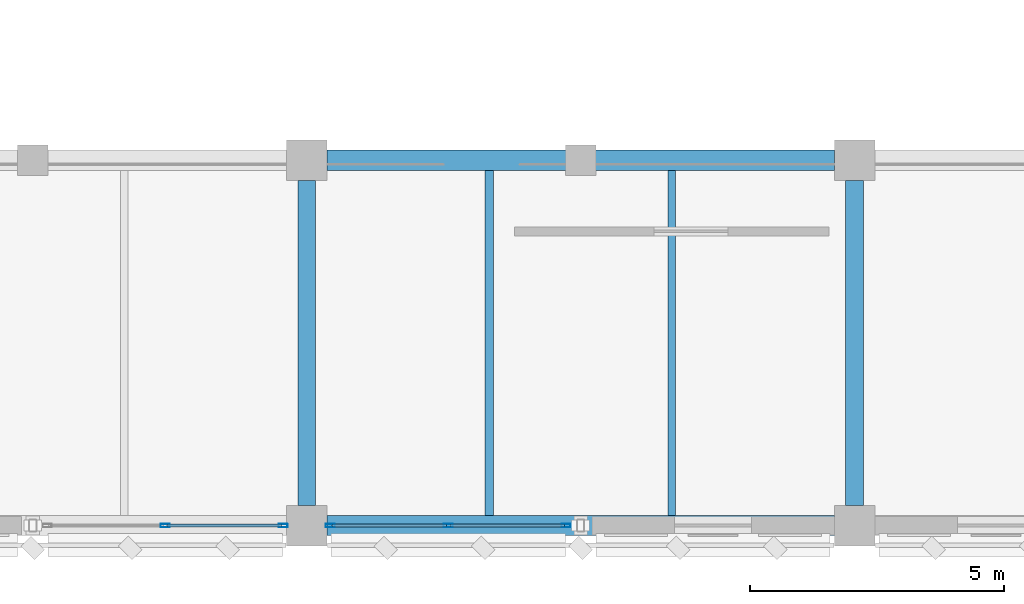
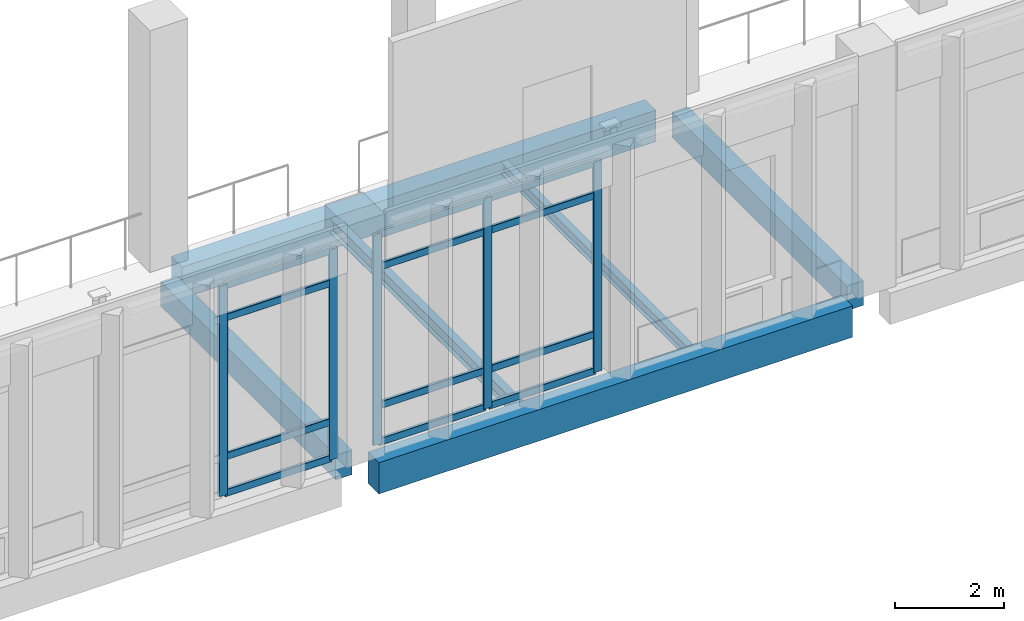
# One storey, part 14 of 180: 17 members, 6 beams, 2 elements without a shape of their own.
"""IFC4 building model written with IfcOpenShell, lengths in metres."""

from ifc_helpers import new_model, si_unit, direction, frame, origin, origin_2d, place, context, subcontext, project, spatial, rectangle, hollow_rectangle, i_section, extrude, material, material_profile, profile_set, type_object, element, aggregate, save


model = new_model("IFC4")

# Units and contexts
model_context = context("Model", 3, precision=1e-05, world=origin(), true_north=direction((0.0, 1.0)))
body_context = subcontext(model_context, "Body", "Model", "MODEL_VIEW")
ifc_project = project(units=[si_unit("LENGTHUNIT", "METRE"), si_unit("AREAUNIT", "SQUARE_METRE"), si_unit("VOLUMEUNIT", "CUBIC_METRE"), si_unit("PLANEANGLEUNIT", "RADIAN"), si_unit("MASSUNIT", "GRAM", prefix="KILO")], contexts=[model_context])

# Site, building, storey
site_placement = place(None, origin())
site = spatial("IfcSite", under=ifc_project, at=site_placement, CompositionType="ELEMENT")
building_placement = place(site_placement, origin())
building = spatial("IfcBuilding", under=site, at=building_placement, Name="Lusvemor Sports Hall", CompositionType="ELEMENT")
storey_placement = place(building_placement, frame((0.0, 0.0, 5.39990234375)))
storey = spatial("IfcBuildingStorey", under=building, at=storey_placement, Name="L01", CompositionType="ELEMENT", Elevation=5.39990234375)

# Beams
ifc_material_1 = material(Name="Concrete C40/50", Category="concrete")
ifc_material_profile_1 = material_profile(ifc_material_1, rectangle(XDim=0.35009765625, YDim=0.550048828125, at=origin_2d()), Name="RC350x550")
ifc_profile_set_1 = profile_set([ifc_material_profile_1], Name="Concrete C40/50")
beam_type_1 = type_object("IfcBeamType", Name="BEAM_RC_550", PredefinedType="BEAM", material=ifc_profile_set_1)
for number, where, z_axis, x_axis, name in (
    (1, (32.39990234375, 0.39599609375, -0.554931640625), (0.0, 1.0, 0.0), (-1.0, 0.0, 0.0), "Beam L01 4:A-B"),
    (2, (43.199951171875, 0.39599609375, -0.554931640625), (0.0, 1.0, 0.0), (-1.0, 0.0, 0.0), "Beam L01 5:A-B"),
):
    element("IfcBeam", number, at=place(storey_placement, frame(where, z_axis=z_axis, x_axis=x_axis)), inside=storey, type_object=beam_type_1, Name=name, PredefinedType="BEAM", context=body_context, shape_type="SweptSolid", body=[
        extrude(rectangle(XDim=0.35009765625, YDim=0.550048828125, at=origin_2d()), origin(), (0.0, 0.0, 1.0), 6.407958984375),
    ])

# Curtain wall, members
ifc_material_2 = material(Name="Thermally broken bronze-anodized aluminium", Category="aluminium")
curtain_wall_type = type_object("IfcCurtainWallType", Name="CW_COURT_C", PredefinedType="NOTDEFINED", material=ifc_material_2)
curtain_wall_1_placement = place(storey_placement, origin())
curtain_wall_1 = element("IfcCurtainWall", 3, at=curtain_wall_1_placement, inside=storey, type_object=curtain_wall_type, Name="Curtain Wall CW-V1S-L01-2-2", PredefinedType="NOTDEFINED")
ifc_material_3 = material(Name="Thermally broken bronze-anodized aluminium", Category="aluminium")
ifc_material_profile_2 = material_profile(ifc_material_3, hollow_rectangle(XDim=0.070068359375, YDim=0.179931640625, WallThickness=0.0048828125, InnerFilletRadius=0.0048828125, OuterFilletRadius=0.010009765625, at=origin_2d()), Name="CWMUL180x70x5")
ifc_profile_set_2 = profile_set([ifc_material_profile_2], Name="Thermally broken bronze-anodized aluminium")
member_type_1 = type_object("IfcMemberType", Name="CW_MUL_A", PredefinedType="MULLION", material=ifc_profile_set_2)
member_1_placement = place(storey_placement, frame((31.93505859375, 0.0, 0.0), z_axis=(0.0, 0.0, 1.0), x_axis=(0.0, -1.0, 0.0)))
member_1 = element("IfcMember", 4, at=member_1_placement, type_object=member_type_1, Name="CW03 mullion 1", PredefinedType="MULLION", context=body_context, shape_type="SweptSolid", body=[
    extrude(hollow_rectangle(XDim=0.070068359375, YDim=0.179931640625, WallThickness=0.0048828125, InnerFilletRadius=0.0048828125, OuterFilletRadius=0.010009765625, at=origin_2d()), origin(), (0.0, 0.0, 1.0), 4.7001953125),
])
member_2_placement = place(storey_placement, frame((29.610107421875, 0.0, 0.0), z_axis=(0.0, 0.0, 1.0), x_axis=(0.0, -1.0, 0.0)))
member_2 = element("IfcMember", 5, at=member_2_placement, type_object=member_type_1, Name="CW03 mullion 2", PredefinedType="MULLION", context=body_context, shape_type="SweptSolid", body=[
    extrude(hollow_rectangle(XDim=0.070068359375, YDim=0.179931640625, WallThickness=0.0048828125, InnerFilletRadius=0.0048828125, OuterFilletRadius=0.010009765625, at=origin_2d()), origin(), (0.0, 0.0, 1.0), 4.7001953125),
])

curtain_wall_2_placement = place(storey_placement, origin())
curtain_wall_2 = element("IfcCurtainWall", 6, at=curtain_wall_2_placement, inside=storey, type_object=curtain_wall_type, Name="Curtain Wall CW-V1S-L01-3-1", PredefinedType="NOTDEFINED")
member_3_placement = place(storey_placement, frame((37.514892578125, 0.0, 0.0), z_axis=(0.0, 0.0, 1.0), x_axis=(0.0, -1.0, 0.0)))
member_3 = element("IfcMember", 7, at=member_3_placement, type_object=member_type_1, Name="CW03 mullion 1", PredefinedType="MULLION", context=body_context, shape_type="SweptSolid", body=[
    extrude(hollow_rectangle(XDim=0.070068359375, YDim=0.179931640625, WallThickness=0.0048828125, InnerFilletRadius=0.0048828125, OuterFilletRadius=0.010009765625, at=origin_2d()), origin(), (0.0, 0.0, 1.0), 4.7001953125),
])
member_4_placement = place(storey_placement, frame((35.18994140625, 0.0, 0.0), z_axis=(0.0, 0.0, 1.0), x_axis=(0.0, -1.0, 0.0)))
member_4 = element("IfcMember", 8, at=member_4_placement, type_object=member_type_1, Name="CW03 mullion 2", PredefinedType="MULLION", context=body_context, shape_type="SweptSolid", body=[
    extrude(hollow_rectangle(XDim=0.070068359375, YDim=0.179931640625, WallThickness=0.0048828125, InnerFilletRadius=0.0048828125, OuterFilletRadius=0.010009765625, at=origin_2d()), origin(), (0.0, 0.0, 1.0), 4.7001953125),
])
member_5_placement = place(storey_placement, frame((32.864990234375, 0.0, 0.0), z_axis=(0.0, 0.0, 1.0), x_axis=(0.0, -1.0, 0.0)))
member_5 = element("IfcMember", 9, at=member_5_placement, type_object=member_type_1, Name="CW03 mullion 3", PredefinedType="MULLION", context=body_context, shape_type="SweptSolid", body=[
    extrude(hollow_rectangle(XDim=0.070068359375, YDim=0.179931640625, WallThickness=0.0048828125, InnerFilletRadius=0.0048828125, OuterFilletRadius=0.010009765625, at=origin_2d()), origin(), (0.0, 0.0, 1.0), 4.7001953125),
])

# Member
ifc_material_4 = material(Name="Thermally broken bronze-anodized aluminium", Category="aluminium")
ifc_material_profile_3 = material_profile(ifc_material_4, hollow_rectangle(XDim=0.06494140625, YDim=0.159912109375, WallThickness=0.00390625, InnerFilletRadius=0.00390625, OuterFilletRadius=0.008056640625, at=origin_2d()), Name="CWTRN160x65x4")
ifc_profile_set_3 = profile_set([ifc_material_profile_3], Name="Thermally broken bronze-anodized aluminium")
member_type_2 = type_object("IfcMemberType", Name="CW_TRN_A", PredefinedType="USERDEFINED", material=ifc_profile_set_3)
member_6_placement = place(storey_placement, frame((31.89990234375, 0.0, 0.03271484375), z_axis=(-1.0, 0.0, 0.0), x_axis=(0.0, -1.0, 0.0)))
member_6 = element("IfcMember", 10, at=member_6_placement, type_object=member_type_2, Name="CW03 transom 1.1", ObjectType="TRANSOM", PredefinedType="USERDEFINED", context=body_context, shape_type="SweptSolid", body=[
    extrude(hollow_rectangle(XDim=0.06494140625, YDim=0.159912109375, WallThickness=0.00390625, InnerFilletRadius=0.00390625, OuterFilletRadius=0.008056640625, at=origin_2d()), origin(), (0.0, 0.0, 1.0), 2.2548828125),
])

member_7_placement = place(storey_placement, frame((31.89990234375, 0.0, 0.85009765625), z_axis=(-1.0, 0.0, 0.0), x_axis=(0.0, -1.0, 0.0)))
member_7 = element("IfcMember", 11, at=member_7_placement, type_object=member_type_2, Name="CW03 transom 1.2", ObjectType="TRANSOM", PredefinedType="USERDEFINED", context=body_context, shape_type="SweptSolid", body=[
    extrude(hollow_rectangle(XDim=0.06494140625, YDim=0.159912109375, WallThickness=0.00390625, InnerFilletRadius=0.00390625, OuterFilletRadius=0.008056640625, at=origin_2d()), origin(), (0.0, 0.0, 1.0), 2.2548828125),
])

member_8_placement = place(storey_placement, frame((31.89990234375, 0.0, 3.9501953125), z_axis=(-1.0, 0.0, 0.0), x_axis=(0.0, -1.0, 0.0)))
member_8 = element("IfcMember", 12, at=member_8_placement, type_object=member_type_2, Name="CW03 transom 1.3", ObjectType="TRANSOM", PredefinedType="USERDEFINED", context=body_context, shape_type="SweptSolid", body=[
    extrude(hollow_rectangle(XDim=0.06494140625, YDim=0.159912109375, WallThickness=0.00390625, InnerFilletRadius=0.00390625, OuterFilletRadius=0.008056640625, at=origin_2d()), origin(), (0.0, 0.0, 1.0), 2.2548828125),
])

member_9_placement = place(storey_placement, frame((31.89990234375, 0.0, 4.66748046875), z_axis=(-1.0, 0.0, 0.0), x_axis=(0.0, -1.0, 0.0)))
member_9 = element("IfcMember", 13, at=member_9_placement, type_object=member_type_2, Name="CW03 transom 1.4", ObjectType="TRANSOM", PredefinedType="USERDEFINED", context=body_context, shape_type="SweptSolid", body=[
    extrude(hollow_rectangle(XDim=0.06494140625, YDim=0.159912109375, WallThickness=0.00390625, InnerFilletRadius=0.00390625, OuterFilletRadius=0.008056640625, at=origin_2d()), origin(), (0.0, 0.0, 1.0), 2.2548828125),
])

aggregate(curtain_wall_1, [member_1, member_2, member_6, member_7, member_8, member_9])

member_10_placement = place(storey_placement, frame((37.47998046875, 0.0, 0.03271484375), z_axis=(-1.0, 0.0, 0.0), x_axis=(0.0, -1.0, 0.0)))
member_10 = element("IfcMember", 14, at=member_10_placement, type_object=member_type_2, Name="CW03 transom 1.1", ObjectType="TRANSOM", PredefinedType="USERDEFINED", context=body_context, shape_type="SweptSolid", body=[
    extrude(hollow_rectangle(XDim=0.06494140625, YDim=0.159912109375, WallThickness=0.00390625, InnerFilletRadius=0.00390625, OuterFilletRadius=0.008056640625, at=origin_2d()), origin(), (0.0, 0.0, 1.0), 2.2548828125),
])

member_11_placement = place(storey_placement, frame((37.47998046875, 0.0, 0.85009765625), z_axis=(-1.0, 0.0, 0.0), x_axis=(0.0, -1.0, 0.0)))
member_11 = element("IfcMember", 15, at=member_11_placement, type_object=member_type_2, Name="CW03 transom 1.2", ObjectType="TRANSOM", PredefinedType="USERDEFINED", context=body_context, shape_type="SweptSolid", body=[
    extrude(hollow_rectangle(XDim=0.06494140625, YDim=0.159912109375, WallThickness=0.00390625, InnerFilletRadius=0.00390625, OuterFilletRadius=0.008056640625, at=origin_2d()), origin(), (0.0, 0.0, 1.0), 2.2548828125),
])

member_12_placement = place(storey_placement, frame((37.47998046875, 0.0, 3.9501953125), z_axis=(-1.0, 0.0, 0.0), x_axis=(0.0, -1.0, 0.0)))
member_12 = element("IfcMember", 16, at=member_12_placement, type_object=member_type_2, Name="CW03 transom 1.3", ObjectType="TRANSOM", PredefinedType="USERDEFINED", context=body_context, shape_type="SweptSolid", body=[
    extrude(hollow_rectangle(XDim=0.06494140625, YDim=0.159912109375, WallThickness=0.00390625, InnerFilletRadius=0.00390625, OuterFilletRadius=0.008056640625, at=origin_2d()), origin(), (0.0, 0.0, 1.0), 2.2548828125),
])

member_13_placement = place(storey_placement, frame((37.47998046875, 0.0, 4.66748046875), z_axis=(-1.0, 0.0, 0.0), x_axis=(0.0, -1.0, 0.0)))
member_13 = element("IfcMember", 17, at=member_13_placement, type_object=member_type_2, Name="CW03 transom 1.4", ObjectType="TRANSOM", PredefinedType="USERDEFINED", context=body_context, shape_type="SweptSolid", body=[
    extrude(hollow_rectangle(XDim=0.06494140625, YDim=0.159912109375, WallThickness=0.00390625, InnerFilletRadius=0.00390625, OuterFilletRadius=0.008056640625, at=origin_2d()), origin(), (0.0, 0.0, 1.0), 2.2548828125),
])

member_14_placement = place(storey_placement, frame((35.155029296875, 0.0, 0.03271484375), z_axis=(-1.0, 0.0, 0.0), x_axis=(0.0, -1.0, 0.0)))
member_14 = element("IfcMember", 18, at=member_14_placement, type_object=member_type_2, Name="CW03 transom 2.1", ObjectType="TRANSOM", PredefinedType="USERDEFINED", context=body_context, shape_type="SweptSolid", body=[
    extrude(hollow_rectangle(XDim=0.06494140625, YDim=0.159912109375, WallThickness=0.00390625, InnerFilletRadius=0.00390625, OuterFilletRadius=0.008056640625, at=origin_2d()), origin(), (0.0, 0.0, 1.0), 2.255126953125),
])

member_15_placement = place(storey_placement, frame((35.155029296875, 0.0, 0.85009765625), z_axis=(-1.0, 0.0, 0.0), x_axis=(0.0, -1.0, 0.0)))
member_15 = element("IfcMember", 19, at=member_15_placement, type_object=member_type_2, Name="CW03 transom 2.2", ObjectType="TRANSOM", PredefinedType="USERDEFINED", context=body_context, shape_type="SweptSolid", body=[
    extrude(hollow_rectangle(XDim=0.06494140625, YDim=0.159912109375, WallThickness=0.00390625, InnerFilletRadius=0.00390625, OuterFilletRadius=0.008056640625, at=origin_2d()), origin(), (0.0, 0.0, 1.0), 2.255126953125),
])

member_16_placement = place(storey_placement, frame((35.155029296875, 0.0, 3.9501953125), z_axis=(-1.0, 0.0, 0.0), x_axis=(0.0, -1.0, 0.0)))
member_16 = element("IfcMember", 20, at=member_16_placement, type_object=member_type_2, Name="CW03 transom 2.3", ObjectType="TRANSOM", PredefinedType="USERDEFINED", context=body_context, shape_type="SweptSolid", body=[
    extrude(hollow_rectangle(XDim=0.06494140625, YDim=0.159912109375, WallThickness=0.00390625, InnerFilletRadius=0.00390625, OuterFilletRadius=0.008056640625, at=origin_2d()), origin(), (0.0, 0.0, 1.0), 2.255126953125),
])

member_17_placement = place(storey_placement, frame((35.155029296875, 0.0, 4.66748046875), z_axis=(-1.0, 0.0, 0.0), x_axis=(0.0, -1.0, 0.0)))
member_17 = element("IfcMember", 21, at=member_17_placement, type_object=member_type_2, Name="CW03 transom 2.4", ObjectType="TRANSOM", PredefinedType="USERDEFINED", context=body_context, shape_type="SweptSolid", body=[
    extrude(hollow_rectangle(XDim=0.06494140625, YDim=0.159912109375, WallThickness=0.00390625, InnerFilletRadius=0.00390625, OuterFilletRadius=0.008056640625, at=origin_2d()), origin(), (0.0, 0.0, 1.0), 2.255126953125),
])

aggregate(curtain_wall_2, [member_3, member_4, member_5, member_10, member_11, member_12, member_13, member_14, member_15, member_16, member_17])

# Beams
ifc_material_5 = material(Name="Steel S355", Category="steel")
ifc_material_profile_4 = material_profile(ifc_material_5, i_section(OverallWidth=0.14794921875, OverallDepth=0.26611328125, WebThickness=0.007568359375, FlangeThickness=0.012939453125, FilletRadius=0.012939453125, at=origin_2d()), Name="W250x44.8")
ifc_profile_set_4 = profile_set([ifc_material_profile_4], Name="Steel S355")
beam_type_2 = type_object("IfcBeamType", Name="JOIST_ST_250M", PredefinedType="JOIST", material=ifc_profile_set_4)
beam_1_placement = place(storey_placement, frame((39.60009765625, 0.196044921875, -0.4169921875), z_axis=(0.0, 1.0, 0.0), x_axis=(-1.0, 0.0, 0.0)))
element("IfcBeam", 22, at=beam_1_placement, inside=storey, type_object=beam_type_2, Name="Secondary Joist L01 4-5/A-B #2", PredefinedType="JOIST", context=body_context, shape_type="SweptSolid", body=[
    extrude(i_section(OverallWidth=0.14794921875, OverallDepth=0.26611328125, WebThickness=0.007568359375, FlangeThickness=0.012939453125, FilletRadius=0.012939453125, at=origin_2d()), origin(), (0.0, 0.0, 1.0), 6.807861328125),
])
ifc_material_6 = material(Name="Steel S355", Category="steel")
ifc_material_profile_5 = material_profile(ifc_material_6, i_section(OverallWidth=0.1669921875, OverallDepth=0.31689453125, WebThickness=0.007568359375, FlangeThickness=0.01318359375, FilletRadius=0.014892578125, at=origin_2d()), Name="W310x52.0")
ifc_profile_set_5 = profile_set([ifc_material_profile_5], Name="Steel S355")
beam_type_3 = type_object("IfcBeamType", Name="JOIST_ST_310M", PredefinedType="JOIST", material=ifc_profile_set_5)
beam_2_placement = place(storey_placement, frame((36.0, 0.196044921875, -0.4423828125), z_axis=(0.0, 1.0, 0.0), x_axis=(-1.0, 0.0, 0.0)))
element("IfcBeam", 23, at=beam_2_placement, inside=storey, type_object=beam_type_3, Name="Secondary Joist L01 4-5/A-B #1", PredefinedType="JOIST", context=body_context, shape_type="SweptSolid", body=[
    extrude(i_section(OverallWidth=0.1669921875, OverallDepth=0.31689453125, WebThickness=0.007568359375, FlangeThickness=0.01318359375, FilletRadius=0.014892578125, at=origin_2d()), origin(), (0.0, 0.0, 1.0), 6.807861328125),
])
ifc_material_7 = material(Name="Concrete C40/50", Category="concrete")
ifc_material_profile_6 = material_profile(ifc_material_7, rectangle(XDim=0.39990234375, YDim=0.699951171875, at=origin_2d()), Name="RC400x700")
ifc_profile_set_6 = profile_set([ifc_material_profile_6], Name="Concrete C40/50")
beam_type_4 = type_object("IfcBeamType", Name="SPAND_EXT_700", PredefinedType="SPANDREL", material=ifc_profile_set_6)
for number, where, z_axis, x_axis, name in (
    (24, (32.7958984375, 0.0, -0.6298828125), (1.0, 0.0, 0.0), (0.0, 1.0, 0.0), "Beam L01 A:4-5"),
    (25, (32.7958984375, 7.199951171875, -0.6298828125), (1.0, 0.0, 0.0), (0.0, 1.0, 0.0), "Beam L01 B:4-5"),
):
    element("IfcBeam", number, at=place(storey_placement, frame(where, z_axis=z_axis, x_axis=x_axis)), inside=storey, type_object=beam_type_4, Name=name, PredefinedType="SPANDREL", context=body_context, shape_type="SweptSolid", body=[
        extrude(rectangle(XDim=0.39990234375, YDim=0.699951171875, at=origin_2d()), origin(), (0.0, 0.0, 1.0), 10.008056640625),
    ])

save(model, "model.ifc")
